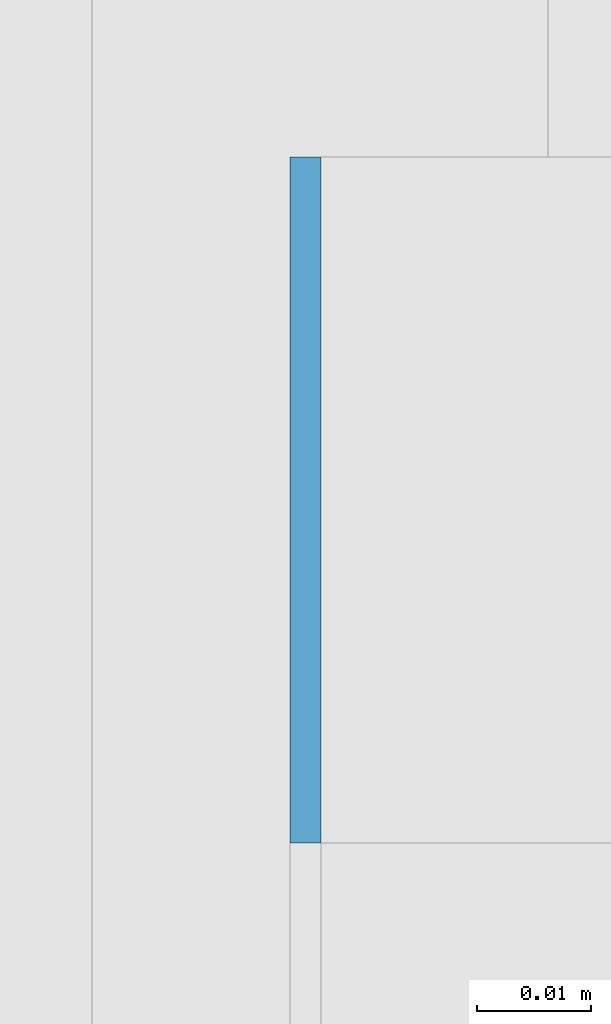
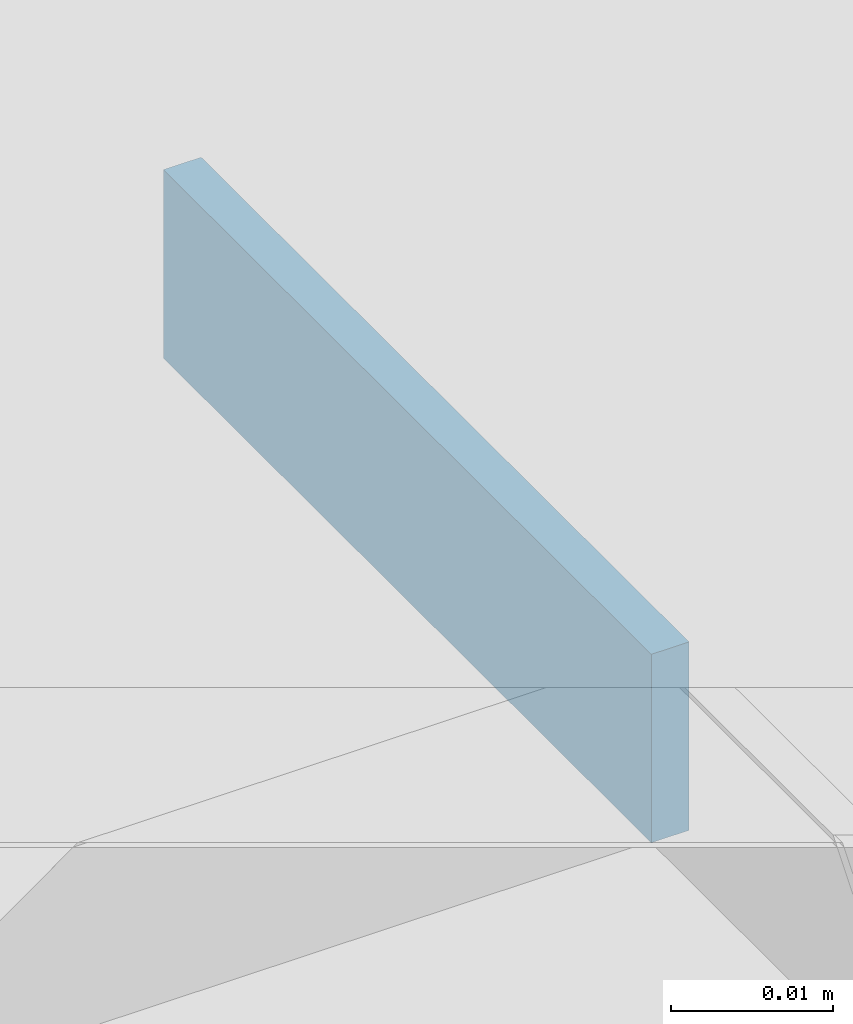
# One storey, part 493 of 646: 1 discrete accessory.
"""IFC4 building model written with IfcOpenShell, lengths in metres."""

from ifc_helpers import new_model, si_unit, direction, frame, origin, origin_2d, place, context, subcontext, project, spatial, rectangle, extrude, material, type_object, element, save


model = new_model("IFC4")

# Units and contexts
model_context = context("Model", 3, precision=1e-05, world=origin(), true_north=direction((0.0, 1.0)))
body_context = subcontext(model_context, "Body", "Model", "MODEL_VIEW")
ifc_project = project(units=[si_unit("LENGTHUNIT", "METRE"), si_unit("AREAUNIT", "SQUARE_METRE"), si_unit("VOLUMEUNIT", "CUBIC_METRE"), si_unit("PLANEANGLEUNIT", "RADIAN"), si_unit("MASSUNIT", "GRAM", prefix="KILO")], contexts=[model_context])

# Site, building, storey
site_placement = place(None, origin())
site = spatial("IfcSite", under=ifc_project, at=site_placement, CompositionType="ELEMENT")
building_placement = place(site_placement, origin())
building = spatial("IfcBuilding", under=site, at=building_placement, Name="Silverbay Arena", CompositionType="ELEMENT")
storey_placement = place(building_placement, frame((0.0, 0.0, 33.5)))
storey = spatial("IfcBuildingStorey", under=building, at=storey_placement, Name="L05", CompositionType="ELEMENT", Elevation=33.5)

# Discrete accessory
ifc_material = material(Name="Steel S355", Category="steel")
discrete_accessory_type = type_object("IfcDiscreteAccessoryType", Name="Steel bracket plate", PredefinedType="BRACKET", material=ifc_material)
discrete_accessory_placement = place(storey_placement, frame((207.128662109375, 63.030029296875, 12.98583984375), z_axis=(0.0, 0.0, 1.0), x_axis=(1.0, 0.0, 0.0)))
element("IfcDiscreteAccessory", 1, at=discrete_accessory_placement, inside=storey, type_object=discrete_accessory_type, Name="Curtain wall packing plate", PredefinedType="BRACKET", context=body_context, shape_type="SweptSolid", body=[
    extrude(rectangle(XDim=0.002685546875, YDim=0.06005859375, at=origin_2d()), origin(), (0.0, 0.0, 1.0), 0.01416015625),
])

save(model, "model.ifc")
